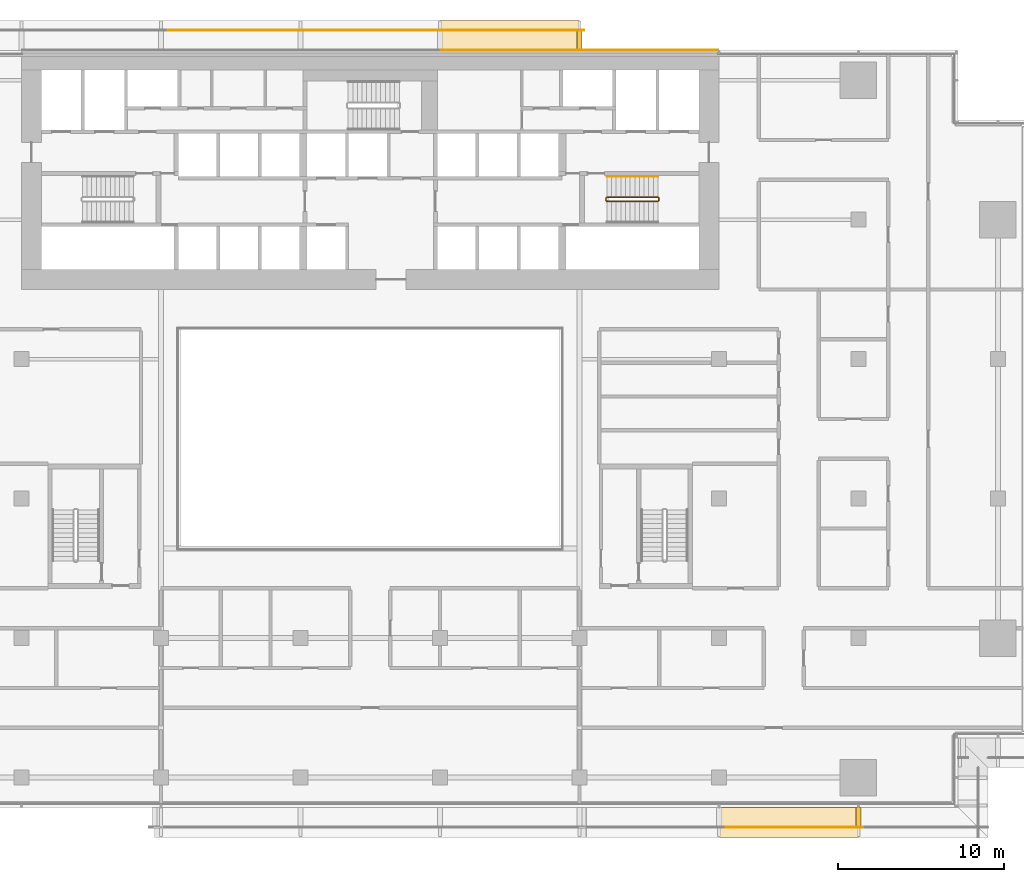
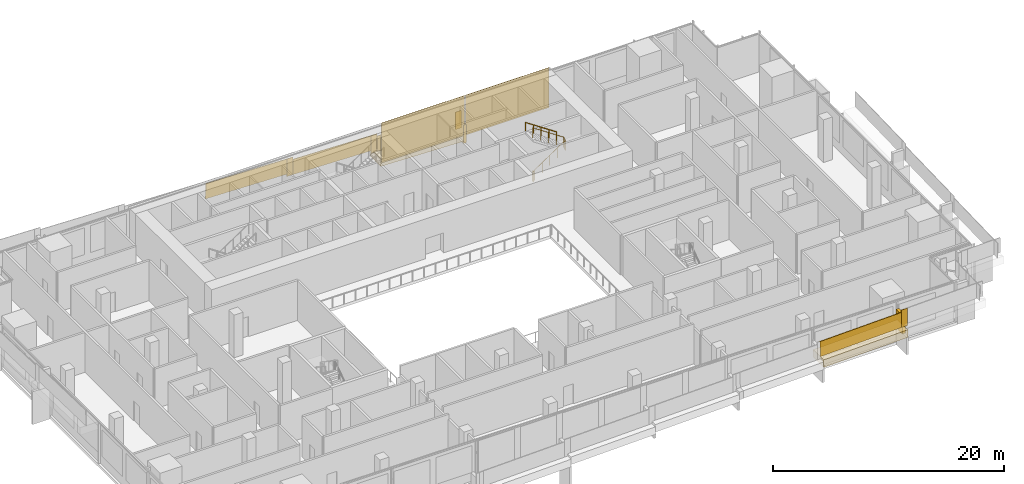
# One storey, part 23 of 24: 10 railings, 6 coverings.
"""IFC4 building model written with IfcOpenShell, lengths in metres."""

from ifc_helpers import new_model, si_unit, direction, frame, origin, origin_2d, place, context, subcontext, project, spatial, polyline, rectangle, circle, outline, extrude, material, layer, layer_set, type_object, element, save


model = new_model("IFC4")

# Units and contexts
model_context = context("Model", 3, precision=1e-05, world=origin(), true_north=direction((0.0, 1.0)))
body_context = subcontext(model_context, "Body", "Model", "MODEL_VIEW")
ifc_project = project(units=[si_unit("LENGTHUNIT", "METRE"), si_unit("AREAUNIT", "SQUARE_METRE"), si_unit("VOLUMEUNIT", "CUBIC_METRE"), si_unit("PLANEANGLEUNIT", "RADIAN"), si_unit("MASSUNIT", "GRAM", prefix="KILO")], contexts=[model_context])

# Site, building, storey
site_placement = place(None, origin())
site = spatial("IfcSite", under=ifc_project, at=site_placement, CompositionType="ELEMENT")
building_placement = place(site_placement, origin())
building = spatial("IfcBuilding", under=site, at=building_placement, Name="Saffron Gate Tower", CompositionType="ELEMENT")
storey_placement = place(building_placement, frame((0.0, 0.0, 28.199951171875)))
storey = spatial("IfcBuildingStorey", under=building, at=storey_placement, Name="L05", CompositionType="ELEMENT", Elevation=28.199951171875)

# Coverings
ifc_material_1 = material(Name="Ceramic-printed bronze insulated panel")
ifc_layer_1 = layer(ifc_material_1, 0.0400390625)
ifc_layer_set_1 = layer_set([ifc_layer_1], Name="CLD1 ceramic-printed cladding panel 40")
covering_type_1 = type_object("IfcCoveringType", Name="CLD1 ceramic-printed cladding panel 40", PredefinedType="CLADDING", material=ifc_layer_set_1)
covering_1_placement = place(storey_placement, origin())
element("IfcCovering", 1, at=covering_1_placement, inside=storey, type_object=covering_type_1, Name="CLADDING ceramic-printed panel", PredefinedType="CLADDING", context=body_context, shape_type="SweptSolid", body=[
    extrude(outline(polyline([(108.56005859375, 75.639892578125), (100.239990234375, 75.639892578125), (100.239990234375, 75.60009765625), (108.56005859375, 75.60009765625), (108.56005859375, 75.639892578125)])), origin(), (0.0, 0.0, 1.0), 4.199951171875),
])
covering_2_placement = place(storey_placement, origin())
element("IfcCovering", 2, at=covering_2_placement, inside=storey, type_object=covering_type_1, Name="CLADDING ceramic-printed panel", PredefinedType="CLADDING", context=body_context, shape_type="SweptSolid", body=[
    extrude(outline(polyline([(100.159912109375, 75.639892578125), (91.840087890625, 75.639892578125), (91.840087890625, 75.60009765625), (100.159912109375, 75.60009765625), (100.159912109375, 75.639892578125)])), origin(), (0.0, 0.0, 1.0), 4.199951171875),
])

# Railings
ifc_material_2 = material(Name="Stainless steel and laminated glass", Category="steel")
railing_type_1 = type_object("IfcRailingType", Name="CR1 Stair guard 1100", PredefinedType="GUARDRAIL", material=ifc_material_2)
railing_1_placement = place(storey_placement, frame((101.800048828125, 66.699951171875, 0.0)))
element("IfcRailing", 3, at=railing_1_placement, inside=storey, type_object=railing_type_1, Name="L05 ST-B stair guard 1", PredefinedType="GUARDRAIL", context=body_context, shape_type="SweptSolid", body=[
    extrude(circle(Radius=0.02392578125, at=origin_2d()), frame((0.0, 0.0, 1.076171875), z_axis=(0.0, -1.0, 0.0), x_axis=(1.0, 0.0, 0.0)), (0.0, 0.0, 1.0), 0.14990234375),
    extrude(circle(Radius=0.02392578125, at=origin_2d()), frame((0.0, -0.14990234375, 1.076171875), z_axis=(0.249726431254, -0.249726431254, 0.935560483917), x_axis=(0.707106781187, 0.707106781187, 0.0)), (0.0, 0.0, 1.0), 0.200439453125),
    extrude(circle(Radius=0.02392578125, at=origin_2d()), frame((0.050048828125, -0.199951171875, 1.263671875), z_axis=(0.830893310487, 0.0, 0.556431762742), x_axis=(0.0, 1.0, 0.0)), (0.0, 0.0, 1.0), 3.70654296875),
    extrude(circle(Radius=0.02392578125, at=origin_2d()), frame((3.1298828125, -0.199951171875, 3.326171875), z_axis=(0.707106781187, 0.707106781187, 0.0), x_axis=(-0.707106781187, 0.707106781187, 0.0)), (0.0, 0.0, 1.0), 0.07080078125),
    extrude(circle(Radius=0.02392578125, at=origin_2d()), frame((3.179931640625, -0.14990234375, 3.326171875), z_axis=(0.0, 1.0, 0.0), x_axis=(-1.0, 0.0, 0.0)), (0.0, 0.0, 1.0), 0.14990234375),
    extrude(circle(Radius=0.02392578125, at=origin_2d()), frame((3.179931640625, 0.0, 3.326171875), z_axis=(-0.249726431254, 0.249726431254, 0.935560483917), x_axis=(-0.707106781187, -0.707106781187, 0.0)), (0.0, 0.0, 1.0), 0.200439453125),
    extrude(circle(Radius=0.02392578125, at=origin_2d()), frame((3.1298828125, 0.050048828125, 3.513671875), z_axis=(-0.830893310487, 0.0, 0.556431762742), x_axis=(0.0, -1.0, 0.0)), (0.0, 0.0, 1.0), 3.70654296875),
    extrude(circle(Radius=0.02099609375, at=origin_2d()), origin(), (0.0, 0.0, 1.0), 1.052001953125),
    extrude(circle(Radius=0.02099609375, at=origin_2d()), frame((0.0, -0.14990234375, 0.0)), (0.0, 0.0, 1.0), 1.052001953125),
    extrude(circle(Radius=0.02099609375, at=origin_2d()), frame((0.050048828125, -0.199951171875, 0.1875)), (0.0, 0.0, 1.0), 1.052001953125),
    extrude(circle(Radius=0.02099609375, at=origin_2d()), frame((0.820068359375, -0.199951171875, 0.703125)), (0.0, 0.0, 1.0), 1.052001953125),
    extrude(circle(Radius=0.02099609375, at=origin_2d()), frame((1.58984375, -0.199951171875, 1.21875)), (0.0, 0.0, 1.0), 1.052001953125),
    extrude(circle(Radius=0.02099609375, at=origin_2d()), frame((2.35986328125, -0.199951171875, 1.734375)), (0.0, 0.0, 1.0), 1.052001953125),
    extrude(circle(Radius=0.02099609375, at=origin_2d()), frame((3.1298828125, -0.199951171875, 2.25)), (0.0, 0.0, 1.0), 1.052001953125),
    extrude(circle(Radius=0.02099609375, at=origin_2d()), frame((3.179931640625, -0.14990234375, 2.25)), (0.0, 0.0, 1.0), 1.052001953125),
    extrude(circle(Radius=0.02099609375, at=origin_2d()), frame((3.179931640625, 0.0, 2.25)), (0.0, 0.0, 1.0), 1.052001953125),
    extrude(circle(Radius=0.02099609375, at=origin_2d()), frame((3.1298828125, 0.050048828125, 2.4375)), (0.0, 0.0, 1.0), 1.052001953125),
    extrude(circle(Radius=0.02099609375, at=origin_2d()), frame((2.35986328125, 0.050048828125, 2.953125)), (0.0, 0.0, 1.0), 1.052001953125),
    extrude(circle(Radius=0.02099609375, at=origin_2d()), frame((1.58984375, 0.050048828125, 3.46875)), (0.0, 0.0, 1.0), 1.052001953125),
    extrude(circle(Radius=0.02099609375, at=origin_2d()), frame((0.820068359375, 0.050048828125, 3.984375)), (0.0, 0.0, 1.0), 1.052001953125),
    extrude(circle(Radius=0.02099609375, at=origin_2d()), frame((0.050048828125, 0.050048828125, 4.5)), (0.0, 0.0, 1.0), 1.052001953125),
])
ifc_material_3 = material(Name="Stainless steel", Category="steel")
railing_type_2 = type_object("IfcRailingType", Name="CR2 Stair handrail 900", PredefinedType="HANDRAIL", material=ifc_material_3)
railing_2_placement = place(storey_placement, frame((104.929931640625, 68.0, 2.4375)))
element("IfcRailing", 4, at=railing_2_placement, inside=storey, type_object=railing_type_2, Name="L05 ST-B stair handrail 2", PredefinedType="HANDRAIL", context=body_context, shape_type="SweptSolid", body=[
    extrude(circle(Radius=0.02392578125, at=origin_2d()), frame((0.0, 0.0, 0.8759765625), z_axis=(-0.830893310487, 0.0, 0.556431762742), x_axis=(0.0, -1.0, 0.0)), (0.0, 0.0, 1.0), 3.70654296875),
    extrude(circle(Radius=0.02099609375, at=origin_2d()), origin(), (0.0, 0.0, 1.0), 0.851806640625),
    extrude(circle(Radius=0.02099609375, at=origin_2d()), frame((-0.77001953125, 0.0, 0.515625)), (0.0, 0.0, 1.0), 0.851806640625),
    extrude(circle(Radius=0.02099609375, at=origin_2d()), frame((-1.5400390625, 0.0, 1.03125)), (0.0, 0.0, 1.0), 0.851806640625),
    extrude(circle(Radius=0.02099609375, at=origin_2d()), frame((-2.309814453125, 0.0, 1.546875)), (0.0, 0.0, 1.0), 0.851806640625),
    extrude(circle(Radius=0.02099609375, at=origin_2d()), frame((-3.079833984375, 0.0, 2.0625)), (0.0, 0.0, 1.0), 0.851806640625),
])

# Coverings
ifc_material_4 = material(Name="Timber, thermally modified ash", Category="wood")
ifc_layer_2 = layer(ifc_material_4, 0.800048828125)
ifc_layer_set_2 = layer_set([ifc_layer_2], Name="LD1 ledge timber")
covering_type_2 = type_object("IfcCoveringType", Name="LD1 ledge timber", PredefinedType="CLADDING", material=ifc_layer_set_2)
covering_3_placement = place(storey_placement, frame((100.199951171875, 75.60009765625, 0.213134765625), z_axis=(0.028791175352, 0.0, 0.999585448184), x_axis=(-0.999585448184, 0.0, 0.028791175352)))
element("IfcCovering", 5, at=covering_3_placement, inside=storey, type_object=covering_type_2, Name="LEDGE", PredefinedType="CLADDING", context=body_context, shape_type="SweptSolid", body=[
    extrude(outline(polyline([(0.0, 0.0), (8.403385982666892, 0.0), (8.403385982666892, -1.7998046875), (0.0, -1.7998046875), (0.0, 0.0)])), origin(), (0.0, 0.0, -1.0), 0.800048828125),
])
covering_4_placement = place(storey_placement, frame((108.60009765625, 30.0, 2.105712890625), z_axis=(-0.028791175352, 0.0, 0.999585448184), x_axis=(0.999585448184, 0.0, 0.028791175352)))
element("IfcCovering", 6, at=covering_4_placement, inside=storey, type_object=covering_type_2, Name="LEDGE", PredefinedType="CLADDING", context=body_context, shape_type="SweptSolid", body=[
    extrude(outline(polyline([(0.0, 0.0), (8.403385982666892, 0.0), (8.403385982666892, -1.800048828125), (0.0, -1.800048828125), (0.0, 0.0)])), origin(), (0.0, 0.0, -1.0), 0.800048828125),
])
ifc_layer_3 = layer(ifc_material_4, 0.300048828125)
ifc_layer_set_3 = layer_set([ifc_layer_3], Name="LD3 ledge riser fin")
covering_type_3 = type_object("IfcCoveringType", Name="LD3 ledge riser fin", PredefinedType="CLADDING", material=ifc_layer_set_3)
for number, where, z_axis, x_axis, name in (
    (7, (100.199951171875, 76.159912109375, -0.81787109375), (0.0, 0.0, 1.0), (-1.0, 0.0, 0.0), "LEDGE riser fin"),
    (8, (117.0, 29.43994140625, 1.547607421875), (0.0, 0.0, 1.0), (1.0, 0.0, 0.0), "LEDGE riser fin"),
):
    element("IfcCovering", number, at=place(storey_placement, frame(where, z_axis=z_axis, x_axis=x_axis)), inside=storey, type_object=covering_type_3, Name=name, PredefinedType="CLADDING", context=body_context, shape_type="SweptSolid", body=[
        extrude(rectangle(XDim=0.300048828125, YDim=1.1201171875, at=origin_2d()), origin(), (0.0, 0.0, 1.0), 1.93115234375),
    ])

# Railings
railing_type_3 = type_object("IfcRailingType", Name="LG1 ledge balustrade", PredefinedType="BALUSTRADE", material=ifc_material_4)
railing_3_placement = place(storey_placement, frame((100.199951171875, 76.800048828125, 0.213134765625)))
element("IfcRailing", 9, at=railing_3_placement, inside=storey, type_object=railing_type_3, Name="LEDGE BALUSTRADE", PredefinedType="BALUSTRADE", context=body_context, shape_type="SweptSolid", body=[
    extrude(rectangle(XDim=0.06005859375, YDim=1.60009765625, at=origin_2d()), frame((0.0, 0.0, 0.800048828125), z_axis=(-0.999585448184, 0.0, 0.028791175352), x_axis=(0.0, -1.0, 0.0)), (0.0, 0.0, 1.0), 8.4033203125),
])
railing_4_placement = place(storey_placement, frame((100.5, 76.800048828125, -0.017822265625)))
element("IfcRailing", 10, at=railing_4_placement, inside=storey, type_object=railing_type_3, Name="LEDGE BALUSTRADE", PredefinedType="BALUSTRADE", context=body_context, shape_type="SweptSolid", body=[
    extrude(rectangle(XDim=0.06005859375, YDim=1.8310546875, at=origin_2d()), frame((0.0, 0.0, 0.91552734375), z_axis=(-1.0, 0.0, 0.0), x_axis=(0.0, -1.0, 0.0)), (0.0, 0.0, 1.0), 0.60009765625),
])
railing_5_placement = place(storey_placement, frame((91.800048828125, 76.800048828125, 0.686279296875)))
element("IfcRailing", 11, at=railing_5_placement, inside=storey, type_object=railing_type_3, Name="LEDGE BALUSTRADE", PredefinedType="BALUSTRADE", context=body_context, shape_type="SweptSolid", body=[
    extrude(rectangle(XDim=0.06005859375, YDim=1.60009765625, at=origin_2d()), frame((0.0, 0.0, 0.800048828125), z_axis=(-0.999585472266, 0.0, 0.028790339263), x_axis=(0.0, -1.0, 0.0)), (0.0, 0.0, 1.0), 8.403564453125),
])
railing_6_placement = place(storey_placement, frame((92.10009765625, 76.800048828125, 0.455078125)))
element("IfcRailing", 12, at=railing_6_placement, inside=storey, type_object=railing_type_3, Name="LEDGE BALUSTRADE", PredefinedType="BALUSTRADE", context=body_context, shape_type="SweptSolid", body=[
    extrude(rectangle(XDim=0.06005859375, YDim=1.8310546875, at=origin_2d()), frame((0.0, 0.0, 0.91552734375), z_axis=(-1.0, 0.0, 0.0), x_axis=(0.0, -1.0, 0.0)), (0.0, 0.0, 1.0), 0.60009765625),
])
railing_7_placement = place(storey_placement, frame((83.39990234375, 76.800048828125, 1.159423828125)))
element("IfcRailing", 13, at=railing_7_placement, inside=storey, type_object=railing_type_3, Name="LEDGE BALUSTRADE", PredefinedType="BALUSTRADE", context=body_context, shape_type="SweptSolid", body=[
    extrude(rectangle(XDim=0.06005859375, YDim=1.60009765625, at=origin_2d()), frame((0.0, 0.0, 0.800048828125), z_axis=(-0.999585448184, 0.0, 0.028791175352), x_axis=(0.0, -1.0, 0.0)), (0.0, 0.0, 1.0), 8.4033203125),
])
railing_8_placement = place(storey_placement, frame((83.699951171875, 76.800048828125, 0.92822265625)))
element("IfcRailing", 14, at=railing_8_placement, inside=storey, type_object=railing_type_3, Name="LEDGE BALUSTRADE", PredefinedType="BALUSTRADE", context=body_context, shape_type="SweptSolid", body=[
    extrude(rectangle(XDim=0.06005859375, YDim=1.8310546875, at=origin_2d()), frame((0.0, 0.0, 0.91552734375), z_axis=(-1.0, 0.0, 0.0), x_axis=(0.0, -1.0, 0.0)), (0.0, 0.0, 1.0), 0.599853515625),
])
railing_9_placement = place(storey_placement, frame((108.60009765625, 28.800048828125, 2.105712890625)))
element("IfcRailing", 15, at=railing_9_placement, inside=storey, type_object=railing_type_3, Name="LEDGE BALUSTRADE", PredefinedType="BALUSTRADE", context=body_context, shape_type="SweptSolid", body=[
    extrude(rectangle(XDim=0.06005859375, YDim=1.60009765625, at=origin_2d()), frame((0.0, 0.0, 0.800048828125), z_axis=(0.999585448184, 0.0, 0.028791175352), x_axis=(0.0, 1.0, 0.0)), (0.0, 0.0, 1.0), 8.4033203125),
])
railing_10_placement = place(storey_placement, frame((116.699951171875, 28.800048828125, 2.34765625)))
element("IfcRailing", 16, at=railing_10_placement, inside=storey, type_object=railing_type_3, Name="LEDGE BALUSTRADE", PredefinedType="BALUSTRADE", context=body_context, shape_type="SweptSolid", body=[
    extrude(rectangle(XDim=0.06005859375, YDim=1.8310546875, at=origin_2d()), frame((0.0, 0.0, 0.91552734375), z_axis=(1.0, 0.0, 0.0), x_axis=(0.0, 1.0, 0.0)), (0.0, 0.0, 1.0), 0.60009765625),
])

save(model, "model.ifc")
